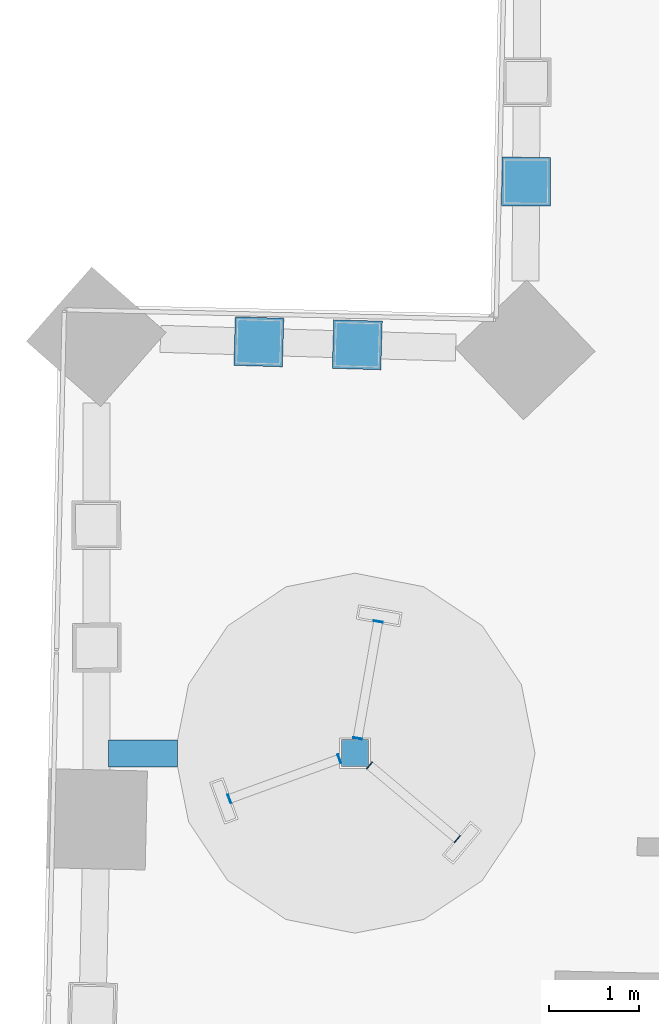
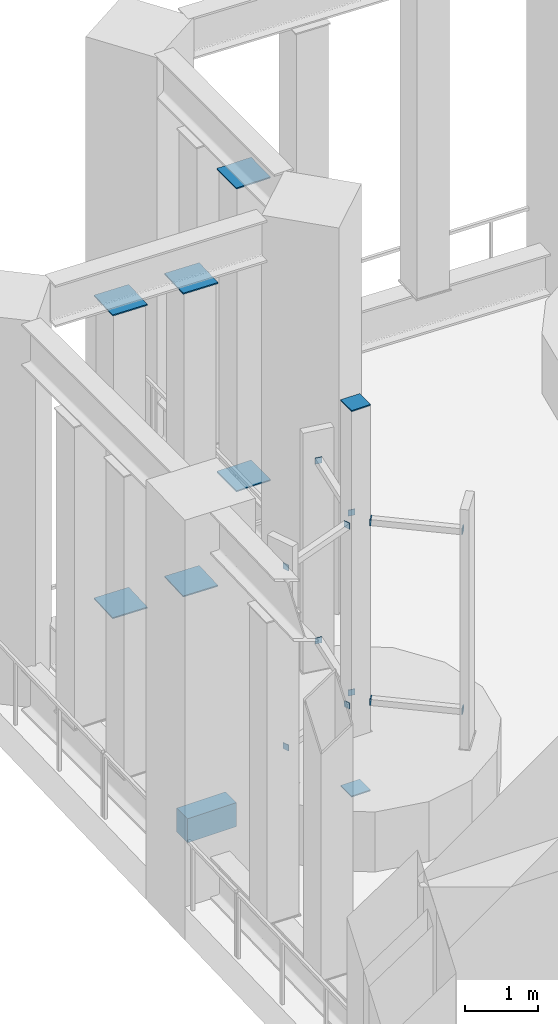
# One storey, part 21 of 33: 21 discrete accessories.
"""IFC4 building model written with IfcOpenShell, lengths in metres."""

import ifcopenshell
import ifcopenshell.guid

model = None  # the IFC model being written
_history = None  # IfcOwnerHistory: only IFC2X3 demands one
_inside = {}  # id of a spatial element -> (the spatial element, [elements in it])
_under = {}  # id of a project, library or spatial element -> (it, [spatial elements below it])
_declared = {}  # id of a project -> (the project, [libraries it declares])
_typed = {}  # id of a type object -> (the type object, [elements of that type])
_made_of = {}  # id of a material, layer set ... -> (it, [elements and type objects made of it])


def new_model(schema):
    """Start an empty IFC model of exactly this schema.

    Asked for "IFC4X3", IfcOpenShell would pick the latest addendum, in which some entities
    have other attributes; the version numbers below select the first issue.
    IFC2X3 requires an IfcOwnerHistory on every rooted entity: one is made here for all.
    """
    global model, _history
    if schema == "IFC4X3":
        model = ifcopenshell.file(schema_version=(4, 3, 0, 0))
    else:
        model = ifcopenshell.file(schema=schema)
    _inside.clear()
    _under.clear()
    _declared.clear()
    _typed.clear()
    _made_of.clear()
    _history = None
    if model.schema == "IFC2X3":
        org = make("IfcOrganization", Name="unknown")
        user = make(
            "IfcPersonAndOrganization",
            ThePerson=make("IfcPerson", FamilyName="unknown"),
            TheOrganization=org,
        )
        app = make(
            "IfcApplication",
            ApplicationDeveloper=org,
            Version="unknown",
            ApplicationFullName="unknown",
            ApplicationIdentifier="unknown",
        )
        _history = make(
            "IfcOwnerHistory",
            OwningUser=user,
            OwningApplication=app,
            ChangeAction="ADDED",
            CreationDate=0,
        )
    return model


def make(cls, **values):
    """One entity of the class cls with the attributes given. An attribute that is None is left unset."""
    return model.create_entity(
        cls, **{name: value for name, value in values.items() if value is not None}
    )


def rooted(cls, **values):
    """An entity with a GlobalId (a new one), such as an element, a storey or a relation."""
    return make(cls, GlobalId=ifcopenshell.guid.new(), OwnerHistory=_history, **values)


def si_unit(unit_type, name, prefix=None):
    """IfcSIUnit, for example si_unit("LENGTHUNIT", "METRE", prefix="MILLI")."""
    return make("IfcSIUnit", UnitType=unit_type, Prefix=prefix, Name=name)


def assignment(units):
    """IfcUnitAssignment: the units of a project."""
    return None if units is None else make("IfcUnitAssignment", Units=units)


def point(xyz):
    """IfcCartesianPoint."""
    return None if xyz is None else make("IfcCartesianPoint", Coordinates=xyz)


def direction(xyz):
    """IfcDirection."""
    return None if xyz is None else make("IfcDirection", DirectionRatios=xyz)


def frame(location, z_axis=None, x_axis=None):
    """IfcAxis2Placement3D, a coordinate frame: its origin and axes. An axis left out is left unset."""
    return make(
        "IfcAxis2Placement3D",
        Location=point(location),
        Axis=direction(z_axis),
        RefDirection=direction(x_axis),
    )


def frame_2d(location, x_axis=None):
    """IfcAxis2Placement2D, a coordinate frame in the plane: its origin and x axis."""
    return make(
        "IfcAxis2Placement2D", Location=point(location), RefDirection=direction(x_axis)
    )


def origin():
    """The frame at (0, 0, 0) with its axes left unset."""
    return frame((0.0, 0.0, 0.0))


def origin_2d():
    """The frame at (0, 0) in the plane with its x axis left unset."""
    return frame_2d((0.0, 0.0))


def place(relative_to, where):
    """IfcLocalPlacement: puts the frame where relative to a parent placement (None: the world)."""
    return make(
        "IfcLocalPlacement", PlacementRelTo=relative_to, RelativePlacement=where
    )


def context(
    kind, dimensions, precision=None, world=None, true_north=None, identifier=None
):
    """IfcGeometricRepresentationContext, for example the 3D "Model" context."""
    return make(
        "IfcGeometricRepresentationContext",
        ContextIdentifier=identifier,
        ContextType=kind,
        CoordinateSpaceDimension=dimensions,
        Precision=precision,
        WorldCoordinateSystem=world,
        TrueNorth=true_north,
    )


def subcontext(parent, identifier, kind, view, scale=None):
    """IfcGeometricRepresentationSubContext, for example "Body" below "Model"."""
    return make(
        "IfcGeometricRepresentationSubContext",
        ContextIdentifier=identifier,
        ContextType=kind,
        ParentContext=parent,
        TargetScale=scale,
        TargetView=view,
    )


def project(units=None, contexts=None):
    """IfcProject with its units and contexts."""
    return rooted(
        "IfcProject",
        Name="project",
        RepresentationContexts=contexts,
        UnitsInContext=assignment(units),
    )


def spatial(cls, under=None, at=None, **own):
    """A site, building, storey or space (cls), placed at a placement, below another one or the project."""
    s = rooted(cls, ObjectPlacement=at, **own)
    if under is not None:
        _under.setdefault(under.id(), (under, []))[1].append(s)
    return s


def profile(cls, at=None, kind="AREA", **sizes):
    """A parametric profile (cls). Its sizes go by their IFC names, for example OverallWidth=200.0."""
    return make(cls, ProfileType=kind, Position=at, **sizes)


def rectangle(**sizes):
    """IfcRectangleProfileDef."""
    return profile("IfcRectangleProfileDef", **sizes)


def extrude(swept, where, along, depth):
    """IfcExtrudedAreaSolid: the profile swept, set in the frame where, extruded along a direction by depth."""
    return make(
        "IfcExtrudedAreaSolid",
        SweptArea=swept,
        Position=where,
        ExtrudedDirection=direction(along),
        Depth=depth,
    )


def shape(context_of_items, identifier, shape_type, items):
    """IfcShapeRepresentation: the items that make up one representation, for example the "Body"."""
    return make(
        "IfcShapeRepresentation",
        ContextOfItems=context_of_items,
        RepresentationIdentifier=identifier,
        RepresentationType=shape_type,
        Items=items,
    )


def material(Name=None, Category=None):
    """IfcMaterial."""
    return make("IfcMaterial", Name=Name, Category=Category)


def layer(
    of_material, thickness, ventilated=None, Name=None, Category=None, Priority=None
):
    """IfcMaterialLayer: one layer of a wall or slab, of a material (None: an air gap)."""
    return make(
        "IfcMaterialLayer",
        Material=of_material,
        LayerThickness=thickness,
        IsVentilated=ventilated,
        Name=Name,
        Category=Category,
        Priority=Priority,
    )


def layer_set(layers, Name=None):
    """IfcMaterialLayerSet."""
    return make("IfcMaterialLayerSet", MaterialLayers=layers, LayerSetName=Name)


def made_of(thing, what):
    """Note that an element or type object is made of a material, layer set ...; save() writes the relation."""
    if what is not None:
        _made_of.setdefault(what.id(), (what, []))[1].append(thing)
    return thing


def type_object(cls, material=None, **own):
    """A type object (cls), such as IfcWallType, which elements share."""
    return made_of(rooted(cls, **own), material)


def element(
    cls,
    number,
    at=None,
    inside=None,
    cuts=None,
    type_object=None,
    material=None,
    context=None,
    identifier="Body",
    shape_type=None,
    held_by="IfcProductDefinitionShape",
    body=None,
    shapes=None,
    **own,
):
    """One element of the class cls, such as IfcWall. Its Tag is "e" and its number.

    at: its placement. inside: the storey or other place that contains it. cuts: it is an
    opening in that element (IfcRelVoidsElement). A single representation is given by context,
    identifier, shape_type and body (its items); several are given by shapes. held_by: the class
    of the entity that holds the representations. save() writes the other relations.
    """
    e = rooted(cls, Tag="e%d" % number, ObjectPlacement=at, **own)
    if body is not None:
        shapes = [shape(context, identifier, shape_type, body)]
    if shapes is not None:
        e.Representation = make(held_by, Representations=shapes)
    if inside is not None:
        _inside.setdefault(inside.id(), (inside, []))[1].append(e)
    if cuts is not None:
        rooted(
            "IfcRelVoidsElement", RelatingBuildingElement=cuts, RelatedOpeningElement=e
        )
    if type_object is not None:
        _typed.setdefault(type_object.id(), (type_object, []))[1].append(e)
    return made_of(e, material)


def aggregate(whole, parts):
    """IfcRelAggregates: a whole, such as a stair, and the parts it consists of."""
    return rooted("IfcRelAggregates", RelatingObject=whole, RelatedObjects=parts)


def save(model, path):
    """Write the relations noted so far, then the file.

    IfcRelAggregates (storeys below a building ...), IfcRelContainedInSpatialStructure (elements
    in a storey), IfcRelDefinesByType, IfcRelAssociatesMaterial and IfcRelDeclares: one each for
    every whole, place, type object, material and project.
    """
    for whole, parts in _under.values():
        aggregate(whole, parts)
    for where, things in _inside.values():
        rooted(
            "IfcRelContainedInSpatialStructure",
            RelatedElements=things,
            RelatingStructure=where,
        )
    for kind, things in _typed.values():
        rooted("IfcRelDefinesByType", RelatedObjects=things, RelatingType=kind)
    for what, things in _made_of.values():
        rooted("IfcRelAssociatesMaterial", RelatedObjects=things, RelatingMaterial=what)
    for by, libraries in _declared.values():
        rooted("IfcRelDeclares", RelatingContext=by, RelatedDefinitions=libraries)
    model.write(path)


model = new_model("IFC4")

# Units and contexts
model_context = context("Model", 3, precision=1e-05, world=origin(), true_north=direction((0.0, 1.0)))
body_context = subcontext(model_context, "Body", "Model", "MODEL_VIEW")
ifc_project = project(units=[si_unit("LENGTHUNIT", "METRE"), si_unit("AREAUNIT", "SQUARE_METRE"), si_unit("VOLUMEUNIT", "CUBIC_METRE"), si_unit("PLANEANGLEUNIT", "RADIAN"), si_unit("MASSUNIT", "GRAM", prefix="KILO")], contexts=[model_context])

# Site, building, storey
site_placement = place(None, origin())
site = spatial("IfcSite", under=ifc_project, at=site_placement, CompositionType="ELEMENT")
building_placement = place(site_placement, origin())
building = spatial("IfcBuilding", under=site, at=building_placement, Name="Mangrove Gate Tower", CompositionType="ELEMENT")
storey_placement = place(building_placement, frame((0.0, 0.0, 219.5)))
storey = spatial("IfcBuildingStorey", under=building, at=storey_placement, Name="L56", CompositionType="ELEMENT", Elevation=219.5)

# Discrete accessories
ifc_material_1 = material(Name="Steel S355J2H", Category="steel")
ifc_layer_1 = layer(ifc_material_1, 0.010009765625)
ifc_layer_set_1 = layer_set([ifc_layer_1], Name="Arm end plate 100x100x10")
discrete_accessory_type_1 = type_object("IfcDiscreteAccessoryType", Name="Arm end plate 100x100x10", PredefinedType="ANCHORPLATE", material=ifc_layer_set_1)
for number, where, z_axis, x_axis, name in (
    (1, (-23.73291015625, 15.7080078125, 1.449951171875), (0.0, 0.0, 1.0), (0.173648177667, 0.984807753012, 0.0), "END PLATE ARM L56 11.1.1 MAST"),
    (2, (-23.50390625, 17.006103515625, 1.449951171875), (0.0, 0.0, 1.0), (0.173648177667, 0.984807753012, 0.0), "END PLATE ARM L56 11.1.1 FIN"),
    (3, (-23.73291015625, 15.7080078125, 4.449951171875), (0.0, 0.0, 1.0), (0.173648177667, 0.984807753012, 0.0), "END PLATE ARM L56 11.1.2 MAST"),
    (4, (-23.50390625, 17.006103515625, 4.449951171875), (0.0, 0.0, 1.0), (0.173648177667, 0.984807753012, 0.0), "END PLATE ARM L56 11.1.2 FIN"),
    (5, (-23.93505859375, 15.48095703125, 1.449951171875), (0.0, 0.0, 1.0), (-0.939692620786, -0.342020143326, 0.0), "END PLATE ARM L56 11.2.1 MAST"),
    (6, (-25.156982421875, 15.035888671875, 1.449951171875), (0.0, 0.0, 1.0), (-0.939692620786, -0.342020143326, 0.0), "END PLATE ARM L56 11.2.1 FIN"),
    (7, (-23.93505859375, 15.48095703125, 4.449951171875), (0.0, 0.0, 1.0), (-0.939692620786, -0.342020143326, 0.0), "END PLATE ARM L56 11.2.2 MAST"),
    (8, (-25.156982421875, 15.035888671875, 4.449951171875), (0.0, 0.0, 1.0), (-0.939692620786, -0.342020143326, 0.0), "END PLATE ARM L56 11.2.2 FIN"),
    (9, (-23.60107421875, 15.408935546875, 1.449951171875), (0.0, 0.0, 1.0), (0.766044443119, -0.642787609687, 0.0), "END PLATE ARM L56 11.3.1 MAST"),
    (10, (-22.6240234375, 14.589111328125, 1.449951171875), (0.0, 0.0, 1.0), (0.766044443119, -0.642787609687, 0.0), "END PLATE ARM L56 11.3.1 FIN"),
    (11, (-23.60107421875, 15.408935546875, 4.449951171875), (0.0, 0.0, 1.0), (0.766044443119, -0.642787609687, 0.0), "END PLATE ARM L56 11.3.2 MAST"),
    (12, (-22.6240234375, 14.589111328125, 4.449951171875), (0.0, 0.0, 1.0), (0.766044443119, -0.642787609687, 0.0), "END PLATE ARM L56 11.3.2 FIN"),
):
    element("IfcDiscreteAccessory", number, at=place(storey_placement, frame(where, z_axis=z_axis, x_axis=x_axis)), inside=storey, type_object=discrete_accessory_type_1, Name=name, PredefinedType="ANCHORPLATE", context=body_context, shape_type="SweptSolid", body=[
        extrude(rectangle(XDim=0.010009765625, YDim=0.10009765625, at=origin_2d()), origin(), (0.0, 0.0, 1.0), 0.10009765625),
    ])
ifc_material_2 = material(Name="Steel S355J2H", Category="steel")
ifc_layer_2 = layer(ifc_material_2, 0.02001953125)
ifc_layer_set_2 = layer_set([ifc_layer_2], Name="Belt truss end plate 540x540x20")
discrete_accessory_type_2 = type_object("IfcDiscreteAccessoryType", Name="Belt truss end plate 540x540x20", PredefinedType="ANCHORPLATE", material=ifc_layer_set_2)
for number, where, z_axis, x_axis, name in (
    (13, (-21.86083984375, 21.89453125, 0.68994140625), (0.0, 0.0, 1.0), (-0.005475175228, -0.999985011116, 0.0), "Belt truss end plate L56 25-2 bottom"),
    (14, (-21.86083984375, 21.89453125, 5.739990234375), (0.0, 0.0, 1.0), (-0.005475175228, -0.999985011116, 0.0), "Belt truss end plate L56 25-2 top"),
    (15, (-23.736328125, 20.08154296875, 0.68994140625), (0.0, 0.0, 1.0), (-0.999548143108, 0.030058436564, 0.0), "Belt truss end plate L56 26-1 bottom"),
    (16, (-23.736328125, 20.08154296875, 5.739990234375), (0.0, 0.0, 1.0), (-0.999548143108, 0.030058436564, 0.0), "Belt truss end plate L56 26-1 top"),
    (17, (-24.829833984375, 20.1142578125, 0.68994140625), (0.0, 0.0, 1.0), (-0.999548143108, 0.030058436564, 0.0), "Belt truss end plate L56 26-2 bottom"),
    (18, (-24.829833984375, 20.1142578125, 5.739990234375), (0.0, 0.0, 1.0), (-0.999548143108, 0.030058436564, 0.0), "Belt truss end plate L56 26-2 top"),
):
    element("IfcDiscreteAccessory", number, at=place(storey_placement, frame(where, z_axis=z_axis, x_axis=x_axis)), inside=storey, type_object=discrete_accessory_type_2, Name=name, PredefinedType="ANCHORPLATE", context=body_context, shape_type="SweptSolid", body=[
        extrude(rectangle(XDim=0.5400390625, YDim=0.5400390625, at=origin_2d()), origin(), (0.0, 0.0, 1.0), 0.02001953125),
    ])
ifc_material_3 = material(Name="Steel S355J2H", Category="steel")
ifc_layer_3 = layer(ifc_material_3, 0.02001953125)
ifc_layer_set_3 = layer_set([ifc_layer_3], Name="Mast end plate 300x300x20")
discrete_accessory_type_3 = type_object("IfcDiscreteAccessoryType", Name="Mast end plate 300x300x20", PredefinedType="ANCHORPLATE", material=ifc_layer_set_3)
for number, where, z_axis, x_axis, name in (
    (19, (-23.761962890625, 15.5439453125, 0.0), (0.0, 0.0, 1.0), (1.0, 0.0, 0.0), "END PLATE MAST L56 11 FOOT"),
    (20, (-23.761962890625, 15.5439453125, 6.429931640625), (0.0, 0.0, 1.0), (1.0, 0.0, 0.0), "END PLATE MAST L56 11 HEAD"),
):
    element("IfcDiscreteAccessory", number, at=place(storey_placement, frame(where, z_axis=z_axis, x_axis=x_axis)), inside=storey, type_object=discrete_accessory_type_3, Name=name, PredefinedType="ANCHORPLATE", context=body_context, shape_type="SweptSolid", body=[
        extrude(rectangle(XDim=0.300048828125, YDim=0.300048828125, at=origin_2d()), origin(), (0.0, 0.0, 1.0), 0.02001953125),
    ])
ifc_material_4 = material(Name="Steel S355J2", Category="steel")
ifc_layer_4 = layer(ifc_material_4, 0.39990234375)
ifc_layer_set_4 = layer_set([ifc_layer_4], Name="Turbine bracket")
discrete_accessory_type_4 = type_object("IfcDiscreteAccessoryType", Name="Turbine bracket", PredefinedType="BRACKET", material=ifc_layer_set_4)
discrete_accessory_placement = place(storey_placement, frame((-26.116455078125, 15.541015625, 0.150146484375), z_axis=(0.0, 0.0, 1.0), x_axis=(0.99999916185, 0.001294719784, 0.0)))
element("IfcDiscreteAccessory", 21, at=discrete_accessory_placement, inside=storey, type_object=discrete_accessory_type_4, Name="Turbine bracket GEN-L56-W11", PredefinedType="BRACKET", context=body_context, shape_type="SweptSolid", body=[
    extrude(rectangle(XDim=0.76904296875, YDim=0.300048828125, at=origin_2d()), origin(), (0.0, 0.0, 1.0), 0.39990234375),
])

save(model, "model.ifc")
